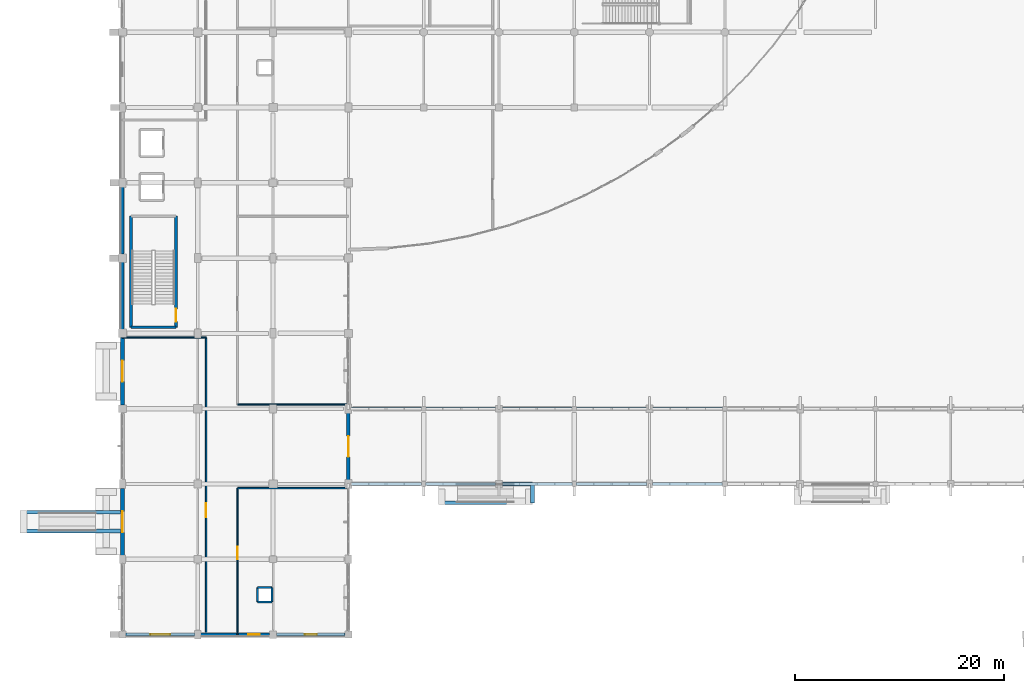
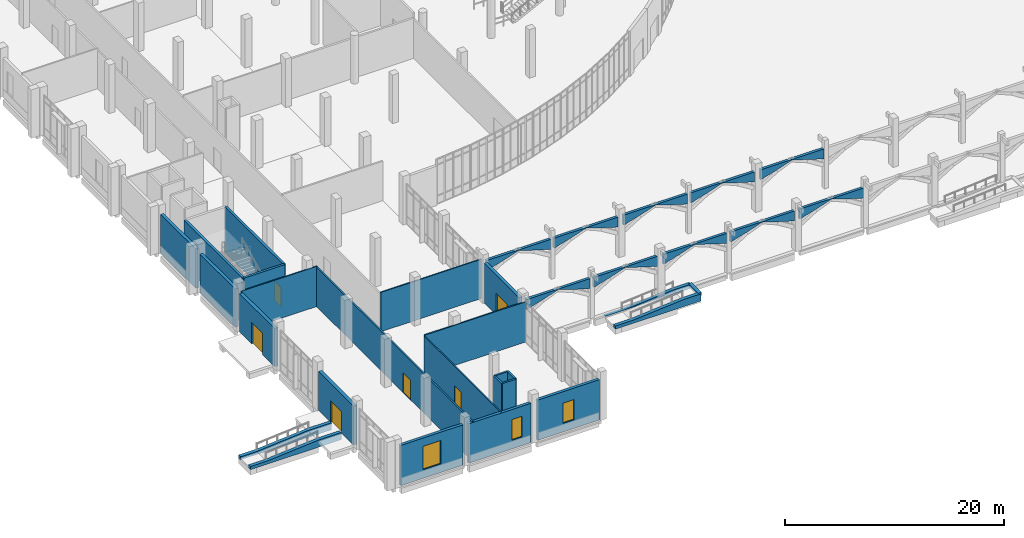
# One storey, part 88 of 110: 35 walls, 6 doors, 3 windows, 9 openings.
"""IFC4 building model written with IfcOpenShell, lengths in metres."""

from ifc_helpers import new_model, si_unit, direction, frame, frame_2d, origin, place, context, subcontext, project, spatial, polyline, rectangle, outline, extrude, material, layer, layer_set, type_object, element, fill, save


model = new_model("IFC4")

# Units and contexts
model_context = context("Model", 3, precision=1e-05, world=origin(), true_north=direction((0.0, 1.0)))
body_context = subcontext(model_context, "Body", "Model", "MODEL_VIEW")
ifc_project = project(units=[si_unit("LENGTHUNIT", "METRE"), si_unit("AREAUNIT", "SQUARE_METRE"), si_unit("VOLUMEUNIT", "CUBIC_METRE"), si_unit("PLANEANGLEUNIT", "RADIAN"), si_unit("MASSUNIT", "GRAM", prefix="KILO")], contexts=[model_context])

# Site, building, storey
site_placement = place(None, origin())
site = spatial("IfcSite", under=ifc_project, at=site_placement, CompositionType="ELEMENT")
building_placement = place(site_placement, origin())
building = spatial("IfcBuilding", under=site, at=building_placement, Name="Kalluvel Institute of Natural Sciences", CompositionType="ELEMENT")
storey_placement = place(building_placement, origin())
storey = spatial("IfcBuildingStorey", under=building, at=storey_placement, Name="L00", CompositionType="ELEMENT", Elevation=0.0)

# Wall
ifc_material_1 = material(Name="Concrete M40", Category="concrete")
ifc_layer_1 = layer(ifc_material_1, 0.25)
ifc_layer_set_1 = layer_set([ifc_layer_1], Name="Concrete M40")
wall_type_1 = type_object("IfcWallType", Name="WL-CORE-250", PredefinedType="SHEAR", material=ifc_layer_set_1)
wall_1_placement = place(storey_placement, frame((14.81494140625, 43.385009765625, 0.0), z_axis=(0.0, 0.0, 1.0), x_axis=(1.0, 0.0, 0.0)))
element("IfcWall", 1, at=wall_1_placement, inside=storey, type_object=wall_type_1, Name="ST4 L00 core wall S", PredefinedType="SHEAR", context=body_context, shape_type="SweptSolid", body=[
    extrude(rectangle(XDim=4.300048828125, YDim=0.25, at=frame_2d((2.14990234375, 0.0))), origin(), (0.0, 0.0, 1.0), 5.094970703125),
])

# Wall, opening, door
wall_2_placement = place(storey_placement, frame((19.114990234375, 43.385009765625, 0.0), z_axis=(0.0, 0.0, 1.0), x_axis=(0.0, 1.0, 0.0)))
wall_2 = element("IfcWall", 2, at=wall_2_placement, inside=storey, type_object=wall_type_1, Name="ST4 L00 core wall E", PredefinedType="SHEAR", context=body_context, shape_type="SweptSolid", body=[
    extrude(rectangle(XDim=10.6298828125, YDim=0.25, at=frame_2d((5.31494140625, 0.0))), origin(), (0.0, 0.0, 1.0), 5.094970703125),
])
opening_1_placement = place(wall_2_placement, frame((0.550048828125, 0.0, 0.0)))
opening_1 = element("IfcOpeningElement", 3, at=opening_1_placement, cuts=wall_2, Name="Opening DS-035", PredefinedType="OPENING", context=body_context, shape_type="SweptSolid", body=[
    extrude(rectangle(XDim=1.199951171875, YDim=2.14990234375, at=frame_2d((0.60009765625, 1.074951171875))), frame((0.0, 0.135009765625, 0.0), z_axis=(0.0, -1.0, 0.0), x_axis=(1.0, 0.0, 0.0)), (0.0, 0.0, 1.0), 0.27001953125),
])
ifc_material_2 = material(Name="Galvanized Fire-Rated Steel", Category="steel")
door_type_1 = type_object("IfcDoorType", Name="DR-ST-1200", OperationType="NOTDEFINED", PredefinedType="DOOR", material=ifc_material_2)
door_1_placement = place(opening_1_placement, origin())
door_1 = element("IfcDoor", 4, at=door_1_placement, inside=storey, type_object=door_type_1, Name="ST4 L00 protected stair door DS-035", OperationType="SINGLE_SWING_RIGHT", OverallHeight=2.14990234375, OverallWidth=1.199951171875, PredefinedType="DOOR", context=body_context, shape_type="SweptSolid", body=[
    extrude(rectangle(XDim=1.199951171875, YDim=2.14990234375, at=frame_2d((0.60009765625, 1.074951171875))), frame((0.0, 0.02490234375, 0.0), z_axis=(0.0, -1.0, 0.0), x_axis=(1.0, 0.0, 0.0)), (0.0, 0.0, 1.0), 0.050048828125),
])
fill(opening_1, door_1)

# Walls
wall_3_placement = place(storey_placement, frame((14.81494140625, 54.014892578125, 0.0), z_axis=(0.0, 0.0, 1.0), x_axis=(0.0, -1.0, 0.0)))
element("IfcWall", 5, at=wall_3_placement, inside=storey, type_object=wall_type_1, Name="ST4 L00 core wall W", PredefinedType="SHEAR", context=body_context, shape_type="SweptSolid", body=[
    extrude(rectangle(XDim=10.6298828125, YDim=0.25, at=frame_2d((5.31494140625, 0.0))), origin(), (0.0, 0.0, 1.0), 5.094970703125),
])
ifc_material_3 = material(Name="Sadarahalli Grey Granite Ashlar Concrete M40", Category="masonry")
ifc_layer_2 = layer(ifc_material_3, 0.280029296875)
ifc_layer_set_2 = layer_set([ifc_layer_2], Name="Sadarahalli Grey Granite Ashlar Concrete M40")
wall_type_2 = type_object("IfcWallType", Name="WL-EXT-280", PredefinedType="SOLIDWALL", material=ifc_layer_set_2)
wall_4_placement = place(storey_placement, frame((35.864990234375, 35.60009765625, 3.300048828125), z_axis=(0.0, 0.0, 1.0), x_axis=(1.0, 0.0, 0.0)))
element("IfcWall", 6, at=wall_4_placement, inside=storey, type_object=wall_type_2, Name="Gothic cloister pointed-lancet arch spandrel 1", PredefinedType="SOLIDWALL", context=body_context, shape_type="SweptSolid", body=[
    extrude(outline(polyline([(0.0, 0.0), (1.76025390625, 0.52001953125), (3.385009765625, 1.06005859375), (5.009765625, 0.52001953125), (6.77001953125, 0.0), (6.77001953125, 1.119873046875), (0.0, 1.119873046875), (0.0, 0.0)])), frame((0.0, 0.14013671875, 0.0), z_axis=(0.0, -1.0, 0.0), x_axis=(1.0, 0.0, 0.0)), (0.0, 0.0, 1.0), 0.280029296875),
])
wall_5_placement = place(storey_placement, frame((35.889892578125, 28.39990234375, 3.300048828125), z_axis=(0.0, 0.0, 1.0), x_axis=(1.0, 0.0, 0.0)))
element("IfcWall", 7, at=wall_5_placement, inside=storey, type_object=wall_type_2, Name="Gothic cloister pointed-lancet arch spandrel 2", PredefinedType="SOLIDWALL", context=body_context, shape_type="SweptSolid", body=[
    extrude(outline(polyline([(0.0, 0.0), (1.747314453125, 0.52001953125), (3.360107421875, 1.06005859375), (4.972900390625, 0.52001953125), (6.719970703125, 0.0), (6.719970703125, 1.119873046875), (0.0, 1.119873046875), (0.0, 0.0)])), frame((0.0, 0.14013671875, 0.0), z_axis=(0.0, -1.0, 0.0), x_axis=(1.0, 0.0, 0.0)), (0.0, 0.0, 1.0), 0.280029296875),
])
wall_6_placement = place(storey_placement, frame((42.965087890625, 35.60009765625, 3.300048828125), z_axis=(0.0, 0.0, 1.0), x_axis=(1.0, 0.0, 0.0)))
element("IfcWall", 8, at=wall_6_placement, inside=storey, type_object=wall_type_2, Name="Gothic cloister pointed-lancet arch spandrel 3", PredefinedType="SOLIDWALL", context=body_context, shape_type="SweptSolid", body=[
    extrude(outline(polyline([(0.0, 0.0), (1.753662109375, 0.52001953125), (3.37255859375, 1.06005859375), (4.9912109375, 0.52001953125), (6.7451171875, 0.0), (6.7451171875, 1.119873046875), (0.0, 1.119873046875), (0.0, 0.0)])), frame((0.0, 0.14013671875, 0.0), z_axis=(0.0, -1.0, 0.0), x_axis=(1.0, 0.0, 0.0)), (0.0, 0.0, 1.0), 0.280029296875),
])
wall_7_placement = place(storey_placement, frame((42.989990234375, 28.39990234375, 3.300048828125), z_axis=(0.0, 0.0, 1.0), x_axis=(1.0, 0.0, 0.0)))
element("IfcWall", 9, at=wall_7_placement, inside=storey, type_object=wall_type_2, Name="Gothic cloister pointed-lancet arch spandrel 4", PredefinedType="SOLIDWALL", context=body_context, shape_type="SweptSolid", body=[
    extrude(outline(polyline([(0.0, 0.0), (1.74072265625, 0.52001953125), (3.347412109375, 1.06005859375), (4.954345703125, 0.52001953125), (6.695068359375, 0.0), (6.695068359375, 1.119873046875), (0.0, 1.119873046875), (0.0, 0.0)])), frame((0.0, 0.14013671875, 0.0), z_axis=(0.0, -1.0, 0.0), x_axis=(1.0, 0.0, 0.0)), (0.0, 0.0, 1.0), 0.280029296875),
])
wall_8_placement = place(storey_placement, frame((50.2900390625, 35.60009765625, 3.300048828125), z_axis=(0.0, 0.0, 1.0), x_axis=(1.0, 0.0, 0.0)))
element("IfcWall", 10, at=wall_8_placement, inside=storey, type_object=wall_type_2, Name="Gothic cloister pointed-lancet arch spandrel 5", PredefinedType="SOLIDWALL", context=body_context, shape_type="SweptSolid", body=[
    extrude(outline(polyline([(0.0, 0.0), (1.753662109375, 0.52001953125), (3.37255859375, 1.06005859375), (4.9912109375, 0.52001953125), (6.7451171875, 0.0), (6.7451171875, 1.119873046875), (0.0, 1.119873046875), (0.0, 0.0)])), frame((0.0, 0.14013671875, 0.0), z_axis=(0.0, -1.0, 0.0), x_axis=(1.0, 0.0, 0.0)), (0.0, 0.0, 1.0), 0.280029296875),
])
wall_9_placement = place(storey_placement, frame((50.31494140625, 28.39990234375, 3.300048828125), z_axis=(0.0, 0.0, 1.0), x_axis=(1.0, 0.0, 0.0)))
element("IfcWall", 11, at=wall_9_placement, inside=storey, type_object=wall_type_2, Name="Gothic cloister pointed-lancet arch spandrel 6", PredefinedType="SOLIDWALL", context=body_context, shape_type="SweptSolid", body=[
    extrude(outline(polyline([(0.0, 0.0), (1.74072265625, 0.52001953125), (3.347412109375, 1.06005859375), (4.954345703125, 0.52001953125), (6.695068359375, 0.0), (6.695068359375, 1.119873046875), (0.0, 1.119873046875), (0.0, 0.0)])), frame((0.0, 0.14013671875, 0.0), z_axis=(0.0, -1.0, 0.0), x_axis=(1.0, 0.0, 0.0)), (0.0, 0.0, 1.0), 0.280029296875),
])
wall_10_placement = place(storey_placement, frame((57.364990234375, 35.60009765625, 3.300048828125), z_axis=(0.0, 0.0, 1.0), x_axis=(1.0, 0.0, 0.0)))
element("IfcWall", 12, at=wall_10_placement, inside=storey, type_object=wall_type_2, Name="Gothic cloister pointed-lancet arch spandrel 7", PredefinedType="SOLIDWALL", context=body_context, shape_type="SweptSolid", body=[
    extrude(outline(polyline([(0.0, 0.0), (1.747314453125, 0.52001953125), (3.360107421875, 1.06005859375), (4.972900390625, 0.52001953125), (6.719970703125, 0.0), (6.719970703125, 1.119873046875), (0.0, 1.119873046875), (0.0, 0.0)])), frame((0.0, 0.14013671875, 0.0), z_axis=(0.0, -1.0, 0.0), x_axis=(1.0, 0.0, 0.0)), (0.0, 0.0, 1.0), 0.280029296875),
])
wall_11_placement = place(storey_placement, frame((57.389892578125, 28.39990234375, 3.300048828125), z_axis=(0.0, 0.0, 1.0), x_axis=(1.0, 0.0, 0.0)))
element("IfcWall", 13, at=wall_11_placement, inside=storey, type_object=wall_type_2, Name="Gothic cloister pointed-lancet arch spandrel 8", PredefinedType="SOLIDWALL", context=body_context, shape_type="SweptSolid", body=[
    extrude(outline(polyline([(0.0, 0.0), (1.753662109375, 0.52001953125), (3.37255859375, 1.06005859375), (4.9912109375, 0.52001953125), (6.7451171875, 0.0), (6.7451171875, 1.119873046875), (0.0, 1.119873046875), (0.0, 0.0)])), frame((0.0, 0.14013671875, 0.0), z_axis=(0.0, -1.0, 0.0), x_axis=(1.0, 0.0, 0.0)), (0.0, 0.0, 1.0), 0.280029296875),
])
wall_12_placement = place(storey_placement, frame((64.715087890625, 35.60009765625, 3.300048828125), z_axis=(0.0, 0.0, 1.0), x_axis=(1.0, 0.0, 0.0)))
element("IfcWall", 14, at=wall_12_placement, inside=storey, type_object=wall_type_2, Name="Gothic cloister pointed-lancet arch spandrel 9", PredefinedType="SOLIDWALL", context=body_context, shape_type="SweptSolid", body=[
    extrude(outline(polyline([(0.0, 0.0), (1.74072265625, 0.52001953125), (3.347412109375, 1.06005859375), (4.954345703125, 0.52001953125), (6.695068359375, 0.0), (6.695068359375, 1.119873046875), (0.0, 1.119873046875), (0.0, 0.0)])), frame((0.0, 0.14013671875, 0.0), z_axis=(0.0, -1.0, 0.0), x_axis=(1.0, 0.0, 0.0)), (0.0, 0.0, 1.0), 0.280029296875),
])
wall_13_placement = place(storey_placement, frame((64.6650390625, 28.39990234375, 3.300048828125), z_axis=(0.0, 0.0, 1.0), x_axis=(1.0, 0.0, 0.0)))
element("IfcWall", 15, at=wall_13_placement, inside=storey, type_object=wall_type_2, Name="Gothic cloister pointed-lancet arch spandrel 10", PredefinedType="SOLIDWALL", context=body_context, shape_type="SweptSolid", body=[
    extrude(outline(polyline([(0.0, 0.0), (1.747314453125, 0.52001953125), (3.360107421875, 1.06005859375), (4.972900390625, 0.52001953125), (6.719970703125, 0.0), (6.719970703125, 1.119873046875), (0.0, 1.119873046875), (0.0, 0.0)])), frame((0.0, 0.14013671875, 0.0), z_axis=(0.0, -1.0, 0.0), x_axis=(1.0, 0.0, 0.0)), (0.0, 0.0, 1.0), 0.280029296875),
])

# Wall, opening, window
ifc_layer_3 = layer(ifc_material_3, 0.300048828125)
ifc_layer_set_3 = layer_set([ifc_layer_3], Name="Sadarahalli Grey Granite Ashlar Concrete M40")
wall_type_3 = type_object("IfcWallType", Name="WL-EXT-300", PredefinedType="SOLIDWALL", material=ifc_layer_set_3)
wall_14_placement = place(storey_placement, frame((14.304931640625, 14.0, 0.0), z_axis=(0.0, 0.0, 1.0), x_axis=(1.0, 0.0, 0.0)))
wall_14 = element("IfcWall", 16, at=wall_14_placement, inside=storey, type_object=wall_type_3, Name="L00 Sadarahalli granite exterior wall WL-EXT-L00-0144", PredefinedType="SOLIDWALL", context=body_context, shape_type="SweptSolid", body=[
    extrude(rectangle(XDim=6.614990234375, YDim=0.300048828125, at=frame_2d((3.3076171875, 0.0))), origin(), (0.0, 0.0, 1.0), 4.47509765625),
])
opening_2_placement = place(wall_14_placement, frame((2.357421875, 0.0, 0.949951171875)))
opening_2 = element("IfcOpeningElement", 17, at=opening_2_placement, cuts=wall_14, Name="Opening W-20", PredefinedType="OPENING", context=body_context, shape_type="SweptSolid", body=[
    extrude(rectangle(XDim=1.89990234375, YDim=2.60009765625, at=frame_2d((0.949951171875, 1.300048828125))), frame((0.0, 0.159912109375, 0.0), z_axis=(0.0, -1.0, 0.0), x_axis=(1.0, 0.0, 0.0)), (0.0, 0.0, 1.0), 0.320068359375),
])
ifc_material_4 = material(Name="Solar-Control Low-E Laminated Glass", Category="glass")
window_type_1 = type_object("IfcWindowType", Name="WN-LAN-190x260", PartitioningType="SINGLE_PANEL", PredefinedType="WINDOW", material=ifc_material_4)
window_1_placement = place(opening_2_placement, origin())
window_1 = element("IfcWindow", 18, at=window_1_placement, inside=storey, type_object=window_type_1, Name="L00 Gothic lancet window 26", OverallHeight=2.60009765625, OverallWidth=1.89990234375, PartitioningType="SINGLE_PANEL", PredefinedType="WINDOW", context=body_context, shape_type="SweptSolid", body=[
    extrude(rectangle(XDim=1.89990234375, YDim=2.60009765625, at=frame_2d((0.949951171875, 1.300048828125))), frame((0.0, 0.030029296875, 0.0), z_axis=(0.0, -1.0, 0.0), x_axis=(1.0, 0.0, 0.0)), (0.0, 0.0, 1.0), 0.06005859375),
])
fill(opening_2, window_1)

wall_15_placement = place(storey_placement, frame((21.47998046875, 14.0, 0.0), z_axis=(0.0, 0.0, 1.0), x_axis=(1.0, 0.0, 0.0)))
wall_15 = element("IfcWall", 19, at=wall_15_placement, inside=storey, type_object=wall_type_3, Name="L00 Sadarahalli granite exterior wall WL-EXT-L00-0145", PredefinedType="SOLIDWALL", context=body_context, shape_type="SweptSolid", body=[
    extrude(rectangle(XDim=6.590087890625, YDim=0.300048828125, at=frame_2d((3.294921875, 0.0))), origin(), (0.0, 0.0, 1.0), 4.375),
])
opening_3_placement = place(wall_15_placement, frame((4.550048828125, 0.0, 0.949951171875)))
opening_3 = element("IfcOpeningElement", 20, at=opening_3_placement, cuts=wall_15, Name="Opening W-03", PredefinedType="OPENING", context=body_context, shape_type="SweptSolid", body=[
    extrude(rectangle(XDim=1.10009765625, YDim=2.300048828125, at=frame_2d((0.550048828125, 1.14990234375))), frame((0.0, 0.159912109375, 0.0), z_axis=(0.0, -1.0, 0.0), x_axis=(1.0, 0.0, 0.0)), (0.0, 0.0, 1.0), 0.320068359375),
])
window_type_2 = type_object("IfcWindowType", Name="WN-LAN-110x230", PartitioningType="SINGLE_PANEL", PredefinedType="WINDOW", material=ifc_material_4)
window_2_placement = place(opening_3_placement, origin())
window_2 = element("IfcWindow", 21, at=window_2_placement, inside=storey, type_object=window_type_2, Name="L00 Gothic lancet window 27", OverallHeight=2.300048828125, OverallWidth=1.10009765625, PartitioningType="SINGLE_PANEL", PredefinedType="WINDOW", context=body_context, shape_type="SweptSolid", body=[
    extrude(rectangle(XDim=1.10009765625, YDim=2.300048828125, at=frame_2d((0.550048828125, 1.14990234375))), frame((0.0, 0.030029296875, 0.0), z_axis=(0.0, -1.0, 0.0), x_axis=(1.0, 0.0, 0.0)), (0.0, 0.0, 1.0), 0.06005859375),
])
fill(opening_3, window_2)

wall_16_placement = place(storey_placement, frame((28.72998046875, 14.0, 0.0), z_axis=(0.0, 0.0, 1.0), x_axis=(1.0, 0.0, 0.0)))
wall_16 = element("IfcWall", 22, at=wall_16_placement, inside=storey, type_object=wall_type_3, Name="L00 Sadarahalli granite exterior wall WL-EXT-L00-0146", PredefinedType="SOLIDWALL", context=body_context, shape_type="SweptSolid", body=[
    extrude(rectangle(XDim=6.56494140625, YDim=0.300048828125, at=frame_2d((3.282470703125, 0.0))), origin(), (0.0, 0.0, 1.0), 4.47509765625),
])
opening_4_placement = place(wall_16_placement, frame((2.70751953125, 0.0, 0.949951171875)))
opening_4 = element("IfcOpeningElement", 23, at=opening_4_placement, cuts=wall_16, Name="Opening W-16", PredefinedType="OPENING", context=body_context, shape_type="SweptSolid", body=[
    extrude(rectangle(XDim=1.14990234375, YDim=2.25, at=frame_2d((0.574951171875, 1.125))), frame((0.0, 0.159912109375, 0.0), z_axis=(0.0, -1.0, 0.0), x_axis=(1.0, 0.0, 0.0)), (0.0, 0.0, 1.0), 0.320068359375),
])
window_type_3 = type_object("IfcWindowType", Name="WN-LAN-115x225", PartitioningType="SINGLE_PANEL", PredefinedType="WINDOW", material=ifc_material_4)
window_3_placement = place(opening_4_placement, origin())
window_3 = element("IfcWindow", 24, at=window_3_placement, inside=storey, type_object=window_type_3, Name="L00 Gothic lancet window 28", OverallHeight=2.25, OverallWidth=1.14990234375, PartitioningType="SINGLE_PANEL", PredefinedType="WINDOW", context=body_context, shape_type="SweptSolid", body=[
    extrude(rectangle(XDim=1.14990234375, YDim=2.25, at=frame_2d((0.574951171875, 1.125))), frame((0.0, 0.030029296875, 0.0), z_axis=(0.0, -1.0, 0.0), x_axis=(1.0, 0.0, 0.0)), (0.0, 0.0, 1.0), 0.06005859375),
])
fill(opening_4, window_3)

# Walls
ifc_layer_4 = layer(ifc_material_3, 0.320068359375)
ifc_layer_set_4 = layer_set([ifc_layer_4], Name="Sadarahalli Grey Granite Ashlar Concrete M40")
wall_type_4 = type_object("IfcWallType", Name="WL-EXT-320", PredefinedType="SOLIDWALL", material=ifc_layer_set_4)
wall_17_placement = place(storey_placement, frame((14.0, 43.179931640625, 0.0), z_axis=(0.0, 0.0, 1.0), x_axis=(0.0, 1.0, 0.0)))
element("IfcWall", 25, at=wall_17_placement, inside=storey, type_object=wall_type_4, Name="L00 Sadarahalli granite exterior wall WL-EXT-L00-0137", PredefinedType="SOLIDWALL", context=body_context, shape_type="SweptSolid", body=[
    extrude(rectangle(XDim=6.440185546875, YDim=0.320068359375, at=frame_2d((3.22021484375, 0.0))), origin(), (0.0, 0.0, 1.0), 4.27490234375),
])
wall_18_placement = place(storey_placement, frame((14.0, 50.3798828125, 0.0), z_axis=(0.0, 0.0, 1.0), x_axis=(0.0, 1.0, 0.0)))
element("IfcWall", 26, at=wall_18_placement, inside=storey, type_object=wall_type_4, Name="L00 Sadarahalli granite exterior wall WL-EXT-L00-0138", PredefinedType="SOLIDWALL", context=body_context, shape_type="SweptSolid", body=[
    extrude(rectangle(XDim=6.4150390625, YDim=0.320068359375, at=frame_2d((3.20751953125, 0.0))), origin(), (0.0, 0.0, 1.0), 4.35498046875),
])

# Wall, opening, door
wall_19_placement = place(storey_placement, frame((35.60009765625, 28.804931640625, 0.0), z_axis=(0.0, 0.0, 1.0), x_axis=(0.0, 1.0, 0.0)))
wall_19 = element("IfcWall", 27, at=wall_19_placement, inside=storey, type_object=wall_type_4, Name="L00 Sadarahalli granite exterior wall WL-EXT-L00-0143", PredefinedType="SOLIDWALL", context=body_context, shape_type="SweptSolid", body=[
    extrude(rectangle(XDim=6.364990234375, YDim=0.320068359375, at=frame_2d((3.1826171875, 0.0))), origin(), (0.0, 0.0, 1.0), 4.47509765625),
])
opening_5_placement = place(wall_19_placement, frame((2.1826171875, 0.0, 0.0)))
opening_5 = element("IfcOpeningElement", 28, at=opening_5_placement, cuts=wall_19, Name="Opening E13", PredefinedType="OPENING", context=body_context, shape_type="SweptSolid", body=[
    extrude(rectangle(XDim=2.0, YDim=2.39990234375, at=frame_2d((1.0, 1.199951171875))), frame((0.0, 0.169921875, 0.0), z_axis=(0.0, -1.0, 0.0), x_axis=(1.0, 0.0, 0.0)), (0.0, 0.0, 1.0), 0.340087890625),
])
ifc_material_5 = material(Name="Aluminium AW-6063 T6", Category="aluminium")
door_type_2 = type_object("IfcDoorType", Name="DR-EXT-2000", OperationType="NOTDEFINED", PredefinedType="DOOR", material=ifc_material_5)
door_2_placement = place(opening_5_placement, origin())
door_2 = element("IfcDoor", 29, at=door_2_placement, inside=storey, type_object=door_type_2, Name="South Cloister West Entrance Door E13", OperationType="DOUBLE_DOOR_SINGLE_SWING", OverallHeight=2.39990234375, OverallWidth=2.0, PredefinedType="DOOR", context=body_context, shape_type="SweptSolid", body=[
    extrude(rectangle(XDim=2.0, YDim=2.39990234375, at=frame_2d((1.0, 1.199951171875))), frame((0.0, 0.02490234375, 0.0), z_axis=(0.0, -1.0, 0.0), x_axis=(1.0, 0.0, 0.0)), (0.0, 0.0, 1.0), 0.050048828125),
])
fill(opening_5, door_2)

ifc_layer_5 = layer(ifc_material_3, 0.360107421875)
ifc_layer_set_5 = layer_set([ifc_layer_5], Name="Sadarahalli Grey Granite Ashlar Concrete M40")
wall_type_5 = type_object("IfcWallType", Name="WL-EXT-360", PredefinedType="SOLIDWALL", material=ifc_layer_set_5)
wall_20_placement = place(storey_placement, frame((14.0, 21.580078125, 0.0), z_axis=(0.0, 0.0, 1.0), x_axis=(0.0, 1.0, 0.0)))
wall_20 = element("IfcWall", 30, at=wall_20_placement, inside=storey, type_object=wall_type_5, Name="L00 Sadarahalli granite exterior wall WL-EXT-L00-0135", PredefinedType="SOLIDWALL", context=body_context, shape_type="SweptSolid", body=[
    extrude(rectangle(XDim=6.389892578125, YDim=0.360107421875, at=frame_2d((3.19482421875, 0.0))), origin(), (0.0, 0.0, 1.0), 4.35498046875),
])
opening_6_placement = place(wall_20_placement, frame((2.195068359375, 0.0, 0.0)))
opening_6 = element("IfcOpeningElement", 31, at=opening_6_placement, cuts=wall_20, Name="Opening E4", PredefinedType="OPENING", context=body_context, shape_type="SweptSolid", body=[
    extrude(rectangle(XDim=2.0, YDim=2.39990234375, at=frame_2d((1.0, 1.199951171875))), frame((0.0, 0.18994140625, 0.0), z_axis=(0.0, -1.0, 0.0), x_axis=(1.0, 0.0, 0.0)), (0.0, 0.0, 1.0), 0.380126953125),
])
door_3_placement = place(opening_6_placement, origin())
door_3 = element("IfcDoor", 32, at=door_3_placement, inside=storey, type_object=door_type_2, Name="Pedestrian exit door E4", OperationType="DOUBLE_DOOR_SINGLE_SWING", OverallHeight=2.39990234375, OverallWidth=2.0, PredefinedType="DOOR", context=body_context, shape_type="SweptSolid", body=[
    extrude(rectangle(XDim=2.0, YDim=2.39990234375, at=frame_2d((1.0, 1.199951171875))), frame((0.0, 0.02490234375, 0.0), z_axis=(0.0, -1.0, 0.0), x_axis=(1.0, 0.0, 0.0)), (0.0, 0.0, 1.0), 0.050048828125),
])
fill(opening_6, door_3)

wall_21_placement = place(storey_placement, frame((14.0, 35.955078125, 0.0), z_axis=(0.0, 0.0, 1.0), x_axis=(0.0, 1.0, 0.0)))
wall_21 = element("IfcWall", 33, at=wall_21_placement, inside=storey, type_object=wall_type_5, Name="L00 Sadarahalli granite exterior wall WL-EXT-L00-0136", PredefinedType="SOLIDWALL", context=body_context, shape_type="SweptSolid", body=[
    extrude(rectangle(XDim=6.46484375, YDim=0.360107421875, at=frame_2d((3.232421875, 0.0))), origin(), (0.0, 0.0, 1.0), 4.27490234375),
])
opening_7_placement = place(wall_21_placement, frame((2.232421875, 0.0, 0.0)))
opening_7 = element("IfcOpeningElement", 34, at=opening_7_placement, cuts=wall_21, Name="Opening E3", PredefinedType="OPENING", context=body_context, shape_type="SweptSolid", body=[
    extrude(rectangle(XDim=2.0, YDim=2.39990234375, at=frame_2d((1.0, 1.199951171875))), frame((0.0, 0.18994140625, 0.0), z_axis=(0.0, -1.0, 0.0), x_axis=(1.0, 0.0, 0.0)), (0.0, 0.0, 1.0), 0.380126953125),
])
door_4_placement = place(opening_7_placement, origin())
door_4 = element("IfcDoor", 35, at=door_4_placement, inside=storey, type_object=door_type_2, Name="Pedestrian exit door E3", OperationType="DOUBLE_DOOR_SINGLE_SWING", OverallHeight=2.39990234375, OverallWidth=2.0, PredefinedType="DOOR", context=body_context, shape_type="SweptSolid", body=[
    extrude(rectangle(XDim=2.0, YDim=2.39990234375, at=frame_2d((1.0, 1.199951171875))), frame((0.0, 0.02490234375, 0.0), z_axis=(0.0, -1.0, 0.0), x_axis=(1.0, 0.0, 0.0)), (0.0, 0.0, 1.0), 0.050048828125),
])
fill(opening_7, door_4)

ifc_material_6 = material(Name="Acoustic Gypsum Twin-Stud Partition", Category="gypsum")
ifc_layer_6 = layer(ifc_material_6, 0.1201171875)
ifc_layer_set_6 = layer_set([ifc_layer_6], Name="Acoustic Gypsum Twin-Stud Partition")
wall_type_6 = type_object("IfcWallType", Name="WL-PART-120", PredefinedType="PARTITIONING", material=ifc_layer_set_6)
wall_22_placement = place(storey_placement, frame((25.0, 14.0, 0.0), z_axis=(0.0, 0.0, 1.0), x_axis=(0.0, 1.0, 0.0)))
wall_22 = element("IfcWall", 36, at=wall_22_placement, inside=storey, type_object=wall_type_6, Name="L00 interior partition wall WL-INT-L00-0047", PredefinedType="PARTITIONING", context=body_context, shape_type="SweptSolid", body=[
    extrude(rectangle(XDim=14.0, YDim=0.1201171875, at=frame_2d((7.0, 0.0))), origin(), (0.0, 0.0, 1.0), 4.3798828125),
])
opening_8_placement = place(wall_22_placement, frame((7.199951171875, 0.0, 0.0)))
opening_8 = element("IfcOpeningElement", 37, at=opening_8_placement, cuts=wall_22, Name="Opening D-073", PredefinedType="OPENING", context=body_context, shape_type="SweptSolid", body=[
    extrude(rectangle(XDim=1.179931640625, YDim=2.199951171875, at=frame_2d((0.58984375, 1.10009765625))), frame((0.0, 0.070068359375, 0.0), z_axis=(0.0, -1.0, 0.0), x_axis=(1.0, 0.0, 0.0)), (0.0, 0.0, 1.0), 0.14013671875),
])
ifc_material_7 = material(Name="Engineered Hardwood Acoustic Leaf", Category="wood")
door_type_3 = type_object("IfcDoorType", Name="DR-INT-1180", OperationType="NOTDEFINED", PredefinedType="DOOR", material=ifc_material_7)
door_5_placement = place(opening_8_placement, origin())
door_5 = element("IfcDoor", 38, at=door_5_placement, inside=storey, type_object=door_type_3, Name="Graduate Admissions and Academic Registry Office door D-073", OperationType="SINGLE_SWING_LEFT", OverallHeight=2.199951171875, OverallWidth=1.179931640625, PredefinedType="DOOR", context=body_context, shape_type="SweptSolid", body=[
    extrude(rectangle(XDim=1.179931640625, YDim=2.199951171875, at=frame_2d((0.58984375, 1.10009765625))), frame((0.0, 0.02490234375, 0.0), z_axis=(0.0, -1.0, 0.0), x_axis=(1.0, 0.0, 0.0)), (0.0, 0.0, 1.0), 0.050048828125),
])
fill(opening_8, door_5)

# Walls
wall_23_placement = place(storey_placement, frame((25.0, 36.0, 0.0), z_axis=(0.0, 0.0, 1.0), x_axis=(1.0, 0.0, 0.0)))
element("IfcWall", 39, at=wall_23_placement, inside=storey, type_object=wall_type_6, Name="L00 interior partition wall WL-INT-L00-0050", PredefinedType="PARTITIONING", context=body_context, shape_type="SweptSolid", body=[
    extrude(rectangle(XDim=10.60009765625, YDim=0.1201171875, at=frame_2d((5.300048828125, 0.0))), origin(), (0.0, 0.0, 1.0), 4.3798828125),
])
wall_24_placement = place(storey_placement, frame((14.0, 42.39990234375, 0.0), z_axis=(0.0, 0.0, 1.0), x_axis=(1.0, 0.0, 0.0)))
element("IfcWall", 40, at=wall_24_placement, inside=storey, type_object=wall_type_6, Name="L00 interior partition wall WL-INT-L00-0056", PredefinedType="PARTITIONING", context=body_context, shape_type="SweptSolid", body=[
    extrude(rectangle(XDim=8.0, YDim=0.1201171875, at=frame_2d((4.0, 0.0))), origin(), (0.0, 0.0, 1.0), 4.47998046875),
])
ifc_layer_7 = layer(ifc_material_6, 0.139892578125)
ifc_layer_set_7 = layer_set([ifc_layer_7], Name="Acoustic Gypsum Twin-Stud Partition")
wall_type_7 = type_object("IfcWallType", Name="WL-PART-140", PredefinedType="PARTITIONING", material=ifc_layer_set_7)
wall_25_placement = place(storey_placement, frame((25.0, 28.0, 0.0), z_axis=(0.0, 0.0, 1.0), x_axis=(1.0, 0.0, 0.0)))
element("IfcWall", 41, at=wall_25_placement, inside=storey, type_object=wall_type_7, Name="L00 interior partition wall WL-INT-L00-0049", PredefinedType="PARTITIONING", context=body_context, shape_type="SweptSolid", body=[
    extrude(rectangle(XDim=10.60009765625, YDim=0.139892578125, at=frame_2d((5.300048828125, 0.0))), origin(), (0.0, 0.0, 1.0), 4.47998046875),
])

# Wall, opening, door
ifc_material_8 = material(Name="Autoclaved Aerated Concrete Masonry Block", Category="masonry")
ifc_layer_8 = layer(ifc_material_8, 0.159912109375)
ifc_layer_set_8 = layer_set([ifc_layer_8], Name="Autoclaved Aerated Concrete Masonry Block")
wall_type_8 = type_object("IfcWallType", Name="WL-PART-160", PredefinedType="PARTITIONING", material=ifc_layer_set_8)
wall_26_placement = place(storey_placement, frame((22.0, 14.0, 0.0), z_axis=(0.0, 0.0, 1.0), x_axis=(0.0, 1.0, 0.0)))
wall_26 = element("IfcWall", 42, at=wall_26_placement, inside=storey, type_object=wall_type_8, Name="L00 interior partition wall WL-INT-L00-0054", PredefinedType="PARTITIONING", context=body_context, shape_type="SweptSolid", body=[
    extrude(rectangle(XDim=28.39990234375, YDim=0.159912109375, at=frame_2d((14.199951171875, 0.0))), origin(), (0.0, 0.0, 1.0), 4.3798828125),
])
opening_9_placement = place(wall_26_placement, frame((11.199951171875, 0.0, 0.0)))
opening_9 = element("IfcOpeningElement", 43, at=opening_9_placement, cuts=wall_26, Name="Opening D-078", PredefinedType="OPENING", context=body_context, shape_type="SweptSolid", body=[
    extrude(rectangle(XDim=1.35009765625, YDim=2.199951171875, at=frame_2d((0.675048828125, 1.10009765625))), frame((0.0, 0.08984375, 0.0), z_axis=(0.0, -1.0, 0.0), x_axis=(1.0, 0.0, 0.0)), (0.0, 0.0, 1.0), 0.179931640625),
])
door_type_4 = type_object("IfcDoorType", Name="DR-INT-1350", OperationType="NOTDEFINED", PredefinedType="DOOR", material=ifc_material_5)
door_6_placement = place(opening_9_placement, origin())
door_6 = element("IfcDoor", 44, at=door_6_placement, inside=storey, type_object=door_type_4, Name="L00 DW-S door D-078", OperationType="SINGLE_SWING_RIGHT", OverallHeight=2.199951171875, OverallWidth=1.35009765625, PredefinedType="DOOR", context=body_context, shape_type="SweptSolid", body=[
    extrude(rectangle(XDim=1.35009765625, YDim=2.199951171875, at=frame_2d((0.675048828125, 1.10009765625))), frame((0.0, 0.02490234375, 0.0), z_axis=(0.0, -1.0, 0.0), x_axis=(1.0, 0.0, 0.0)), (0.0, 0.0, 1.0), 0.050048828125),
])
fill(opening_9, door_6)

# Walls
ifc_layer_9 = layer(ifc_material_1, 0.35009765625)
ifc_layer_set_9 = layer_set([ifc_layer_9], Name="Concrete M40")
wall_type_9 = type_object("IfcWallType", Name="WL-RET-350", PredefinedType="USERDEFINED", material=ifc_layer_set_9)
wall_27_placement = place(storey_placement, frame((44.199951171875, 26.60009765625, -0.669921875), z_axis=(0.0, 0.0, 1.0), x_axis=(1.0, 0.0, 0.0)))
element("IfcWall", 45, at=wall_27_placement, inside=storey, type_object=wall_type_9, Name="Accessible entrance ramp granite cheek wall R2-S", ObjectType="RETAINING WALL", PredefinedType="USERDEFINED", context=body_context, shape_type="SweptSolid", body=[
    extrude(outline(polyline([(0.0, 0.0), (9.0, 0.0), (9.0, 0.7900390625), (7.199951171875, 0.7900390625), (1.800048828125, 0.349853515625), (0.0, 0.349853515625), (0.0, 0.0)])), frame((0.0, 0.175048828125, 0.0), z_axis=(0.0, -1.0, 0.0), x_axis=(1.0, 0.0, 0.0)), (0.0, 0.0, 1.0), 0.35009765625),
])
wall_28_placement = place(storey_placement, frame((44.199951171875, 28.39990234375, -0.340087890625), z_axis=(0.0, 0.0, 1.0), x_axis=(1.0, 0.0, 0.0)))
element("IfcWall", 46, at=wall_28_placement, inside=storey, type_object=wall_type_9, Name="Accessible entrance ramp granite cheek wall R2-N", ObjectType="RETAINING WALL", PredefinedType="USERDEFINED", context=body_context, shape_type="SweptSolid", body=[
    extrude(outline(polyline([(0.0, 0.0), (9.0, 0.0), (9.0, 0.460205078125), (7.199951171875, 0.460205078125), (1.800048828125, 0.02001953125), (0.0, 0.02001953125), (0.0, 0.0)])), frame((0.0, 0.175048828125, 0.0), z_axis=(0.0, -1.0, 0.0), x_axis=(1.0, 0.0, 0.0)), (0.0, 0.0, 1.0), 0.35009765625),
])
wall_29_placement = place(storey_placement, frame((53.199951171875, 26.60009765625, -0.219970703125), z_axis=(0.0, 0.0, 1.0), x_axis=(0.0, 1.0, 0.0)))
element("IfcWall", 47, at=wall_29_placement, inside=storey, type_object=wall_type_9, Name="Accessible entrance ramp granite cheek wall R2-E", ObjectType="RETAINING WALL", PredefinedType="USERDEFINED", context=body_context, shape_type="SweptSolid", body=[
    extrude(rectangle(XDim=1.7998046875, YDim=0.35009765625, at=frame_2d((0.89990234375, 0.0))), origin(), (0.0, 0.0, 1.0), 0.340087890625),
])
for number, where, z_axis, x_axis, name in (
    (48, (4.199951171875, 23.89990234375, -0.669921875), (0.0, 0.0, 1.0), (1.0, 0.0, 0.0), "Accessible entrance ramp granite cheek wall R5-S"),
    (49, (4.199951171875, 25.699951171875, -0.669921875), (0.0, 0.0, 1.0), (1.0, 0.0, 0.0), "Accessible entrance ramp granite cheek wall R5-N"),
):
    element("IfcWall", number, at=place(storey_placement, frame(where, z_axis=z_axis, x_axis=x_axis)), inside=storey, type_object=wall_type_9, Name=name, ObjectType="RETAINING WALL", PredefinedType="USERDEFINED", context=body_context, shape_type="SweptSolid", body=[
        extrude(outline(polyline([(0.0, 0.0), (9.60009765625, 0.0), (9.60009765625, 0.7900390625), (7.199951171875, 0.7900390625), (1.800048828125, 0.349853515625), (0.0, 0.349853515625), (0.0, 0.0)])), frame((0.0, 0.175048828125, 0.0), z_axis=(0.0, -1.0, 0.0), x_axis=(1.0, 0.0, 0.0)), (0.0, 0.0, 1.0), 0.35009765625),
    ])
ifc_layer_10 = layer(ifc_material_1, 0.199951171875)
ifc_layer_set_10 = layer_set([ifc_layer_10], Name="Concrete M40")
wall_type_10 = type_object("IfcWallType", Name="WL-RISER-200", PredefinedType="SHEAR", material=ifc_layer_set_10)
wall_30_placement = place(storey_placement, frame((26.89990234375, 17.10009765625, 0.0), z_axis=(0.0, 0.0, 1.0), x_axis=(1.0, 0.0, 0.0)))
element("IfcWall", 50, at=wall_30_placement, inside=storey, type_object=wall_type_10, Name="RS-DRY-S L00 service riser enclosure S", PredefinedType="SHEAR", context=body_context, shape_type="SweptSolid", body=[
    extrude(rectangle(XDim=1.400146484375, YDim=0.199951171875, at=frame_2d((0.7001953125, 0.0))), origin(), (0.0, 0.0, 1.0), 5.06005859375),
])
wall_31_placement = place(storey_placement, frame((28.300048828125, 17.10009765625, 0.0), z_axis=(0.0, 0.0, 1.0), x_axis=(0.0, 1.0, 0.0)))
element("IfcWall", 51, at=wall_31_placement, inside=storey, type_object=wall_type_10, Name="RS-DRY-S L00 service riser enclosure E", PredefinedType="SHEAR", context=body_context, shape_type="SweptSolid", body=[
    extrude(rectangle(XDim=1.39990234375, YDim=0.199951171875, at=frame_2d((0.699951171875, 0.0))), origin(), (0.0, 0.0, 1.0), 5.06005859375),
])
wall_32_placement = place(storey_placement, frame((28.300048828125, 18.5, 0.0), z_axis=(0.0, 0.0, 1.0), x_axis=(-1.0, 0.0, 0.0)))
element("IfcWall", 52, at=wall_32_placement, inside=storey, type_object=wall_type_10, Name="RS-DRY-S L00 service riser enclosure N", PredefinedType="SHEAR", context=body_context, shape_type="SweptSolid", body=[
    extrude(rectangle(XDim=1.400146484375, YDim=0.199951171875, at=frame_2d((0.7001953125, 0.0))), origin(), (0.0, 0.0, 1.0), 5.06005859375),
])
wall_33_placement = place(storey_placement, frame((26.89990234375, 18.5, 0.0), z_axis=(0.0, 0.0, 1.0), x_axis=(0.0, -1.0, 0.0)))
element("IfcWall", 53, at=wall_33_placement, inside=storey, type_object=wall_type_10, Name="RS-DRY-S L00 service riser enclosure W", PredefinedType="SHEAR", context=body_context, shape_type="SweptSolid", body=[
    extrude(rectangle(XDim=1.39990234375, YDim=0.199951171875, at=frame_2d((0.699951171875, 0.0))), origin(), (0.0, 0.0, 1.0), 5.06005859375),
])

save(model, "model.ifc")
